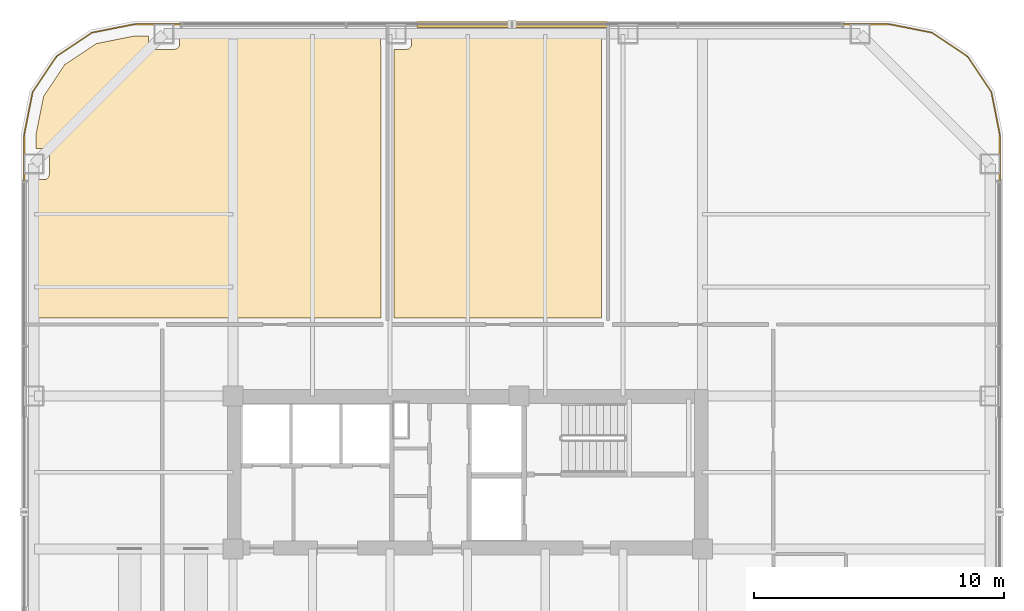
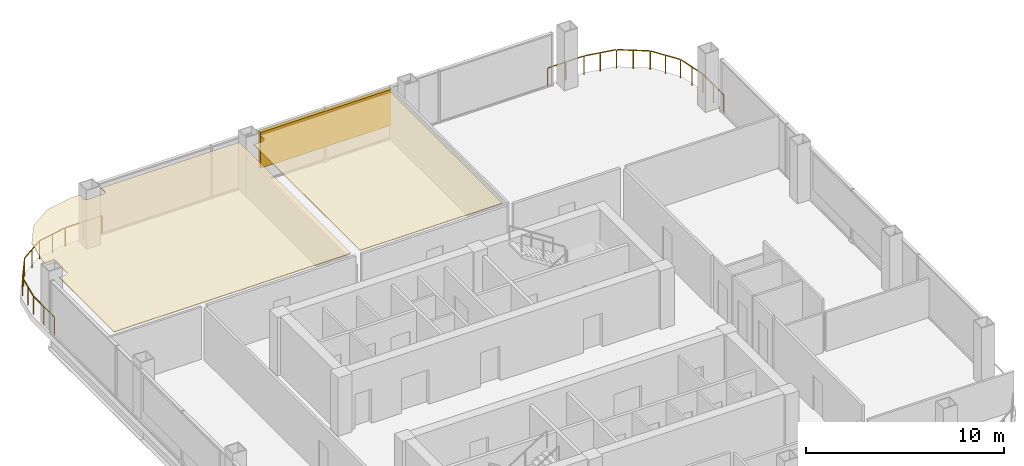
# One storey, part 20 of 20: 2 coverings, 2 railings, 1 shading device.
"""IFC4 building model written with IfcOpenShell, lengths in metres."""

from ifc_helpers import new_model, si_unit, direction, frame, origin, origin_2d, place, context, subcontext, project, spatial, polyline, rectangle, outline, extrude, material, layer, layer_set, type_object, element, save


model = new_model("IFC4")

# Units and contexts
model_context = context("Model", 3, precision=1e-05, world=origin(), true_north=direction((0.0, 1.0)))
body_context = subcontext(model_context, "Body", "Model", "MODEL_VIEW")
ifc_project = project(units=[si_unit("LENGTHUNIT", "METRE"), si_unit("AREAUNIT", "SQUARE_METRE"), si_unit("VOLUMEUNIT", "CUBIC_METRE"), si_unit("PLANEANGLEUNIT", "RADIAN"), si_unit("MASSUNIT", "GRAM", prefix="KILO")], contexts=[model_context])

# Site, building, storey
site_placement = place(None, origin())
site = spatial("IfcSite", under=ifc_project, at=site_placement, CompositionType="ELEMENT")
building_placement = place(site_placement, origin())
building = spatial("IfcBuilding", under=site, at=building_placement, Name="Qhalaya Broadcast Tower", CompositionType="ELEMENT")
storey_placement = place(building_placement, frame((0.0, 0.0, 104.85009765625)))
storey = spatial("IfcBuildingStorey", under=building, at=storey_placement, Name="L30", CompositionType="ELEMENT", Elevation=104.85009765625)

# Coverings
ifc_material_1 = material(Name="Acoustic Mineral-Fibre Ceiling")
ifc_layer = layer(ifc_material_1, 0.0400390625, Name="Acoustic Mineral-Fibre Ceiling")
ifc_layer_set = layer_set([ifc_layer], Name="Acoustic Mineral-Fibre Ceiling")
covering_type = type_object("IfcCoveringType", Name="Acoustic Mineral-Fibre Suspended Ceiling CLG-01", PredefinedType="CEILING", material=ifc_layer_set)
covering_1_placement = place(storey_placement, frame((0.0, 0.0, 3.179931640625)))
element("IfcCovering", 1, at=covering_1_placement, inside=storey, type_object=covering_type, Name="L30 Acoustic Suspended Ceiling 01", PredefinedType="CEILING", context=body_context, shape_type="SweptSolid", body=[
    extrude(outline(polyline([(-17.25, 18.590087890625), (-17.25, 13.06005859375), (-3.4599609375, 13.06005859375), (-3.4599609375, 23.896484375), (-3.468017578125, 23.91357421875), (-3.474609375, 23.931884765625), (-3.4794921875, 23.950927734375), (-3.482421875, 23.970458984375), (-3.4833984375, 23.989990234375), (-3.4833984375, 24.330078125), (-11.510009765625, 24.330078125), (-11.510009765625, 23.989990234375), (-11.510986328125, 23.970458984375), (-11.513916015625, 23.950927734375), (-11.5185546875, 23.931884765625), (-11.525146484375, 23.91357421875), (-11.53369140625, 23.895751953125), (-11.543701171875, 23.87890625), (-11.555419921875, 23.863037109375), (-11.568603515625, 23.8486328125), (-11.5830078125, 23.83544921875), (-11.598876953125, 23.82373046875), (-11.61572265625, 23.813720703125), (-11.633544921875, 23.80517578125), (-11.65185546875, 23.798583984375), (-11.6708984375, 23.793701171875), (-11.6904296875, 23.791015625), (-11.7099609375, 23.7900390625), (-12.550048828125, 23.7900390625), (-12.569580078125, 23.791015625), (-12.589111328125, 23.793701171875), (-12.608154296875, 23.798583984375), (-12.62646484375, 23.80517578125), (-12.644287109375, 23.813720703125), (-12.6611328125, 23.82373046875), (-12.677001953125, 23.83544921875), (-12.69140625, 23.8486328125), (-12.70458984375, 23.863037109375), (-12.71630859375, 23.87890625), (-12.726318359375, 23.895751953125), (-12.73486328125, 23.91357421875), (-12.741455078125, 23.931884765625), (-12.74609375, 23.950927734375), (-12.7490234375, 23.970458984375), (-12.75, 23.989990234375), (-12.75, 24.330078125), (-13.27294921875, 24.330078125), (-14.82568359375, 24.02099609375), (-16.09375, 23.173828125), (-16.941162109375, 21.90576171875), (-17.25, 20.352783203125), (-17.25, 19.830078125), (-16.909912109375, 19.830078125), (-16.890380859375, 19.8291015625), (-16.87109375, 19.826171875), (-16.851806640625, 19.8212890625), (-16.83349609375, 19.814697265625), (-16.815673828125, 19.806396484375), (-16.798828125, 19.79638671875), (-16.783203125, 19.78466796875), (-16.7685546875, 19.771484375), (-16.75537109375, 19.7568359375), (-16.74365234375, 19.7412109375), (-16.733642578125, 19.724365234375), (-16.72509765625, 19.70654296875), (-16.718505859375, 19.68798828125), (-16.7138671875, 19.6689453125), (-16.7109375, 19.649658203125), (-16.7099609375, 19.6298828125), (-16.7099609375, 18.7900390625), (-16.7109375, 18.7705078125), (-16.7138671875, 18.7509765625), (-16.718505859375, 18.73193359375), (-16.72509765625, 18.71337890625), (-16.733642578125, 18.69580078125), (-16.74365234375, 18.678955078125), (-16.75537109375, 18.6630859375), (-16.7685546875, 18.648681640625), (-16.783203125, 18.635498046875), (-16.798828125, 18.623779296875), (-16.815673828125, 18.613525390625), (-16.83349609375, 18.605224609375), (-16.851806640625, 18.5986328125), (-16.87109375, 18.59375), (-16.890380859375, 18.591064453125), (-16.909912109375, 18.590087890625), (-17.25, 18.590087890625)])), origin(), (0.0, 0.0, 1.0), 0.0400390625),
])
covering_2_placement = place(storey_placement, frame((0.0, 0.0, 3.179931640625)))
element("IfcCovering", 2, at=covering_2_placement, inside=storey, type_object=covering_type, Name="L30 Acoustic Suspended Ceiling 02", PredefinedType="CEILING", context=body_context, shape_type="SweptSolid", body=[
    extrude(outline(polyline([(-2.93994140625, 23.7900390625), (-2.93994140625, 13.06005859375), (5.340087890625, 13.06005859375), (5.340087890625, 24.330078125), (-2.243408203125, 24.330078125), (-2.243408203125, 23.989990234375), (-2.244384765625, 23.970458984375), (-2.2470703125, 23.950927734375), (-2.251953125, 23.931884765625), (-2.258544921875, 23.91357421875), (-2.266845703125, 23.895751953125), (-2.277099609375, 23.87890625), (-2.288818359375, 23.863037109375), (-2.302001953125, 23.8486328125), (-2.31640625, 23.83544921875), (-2.332275390625, 23.82373046875), (-2.34912109375, 23.813720703125), (-2.36669921875, 23.80517578125), (-2.38525390625, 23.798583984375), (-2.404296875, 23.793701171875), (-2.423583984375, 23.791015625), (-2.443359375, 23.7900390625), (-2.93994140625, 23.7900390625)])), origin(), (0.0, 0.0, 1.0), 0.0400390625),
])

# Railings
ifc_material_2 = material(Name="Powder-Coated Galvanised Steel", Category="steel")
railing_type = type_object("IfcRailingType", Name="Terrace, Sky-Pool & Lookout Glass Balustrade 1150", PredefinedType="BALUSTRADE", material=ifc_material_2)
railing_1_placement = place(storey_placement, frame((-17.7099609375, 18.280029296875, 0.0)))
element("IfcRailing", 3, at=railing_1_placement, inside=storey, type_object=railing_type, Name="L30 Rounded Corner Perimeter Guard 03", PredefinedType="BALUSTRADE", context=body_context, shape_type="SweptSolid", body=[
    extrude(rectangle(XDim=0.048095703125, YDim=0.048095703125, at=origin_2d()), frame((0.0, 0.0, 1.1259765625), z_axis=(0.0, 1.0, 0.0), x_axis=(-1.0, 0.0, 0.0)), (0.0, 0.0, 1.0), 2.08935546875),
    extrude(rectangle(XDim=0.048095703125, YDim=0.048095703125, at=origin_2d()), frame((0.005615234375, 2.146484375, 1.1259765625), z_axis=(0.195024175165, 0.980798435511, 0.0), x_axis=(-0.980798435511, 0.195024175165, 0.0)), (0.0, 0.0, 1.0), 1.662353515625),
    extrude(rectangle(XDim=0.048095703125, YDim=0.048095703125, at=origin_2d()), frame((0.3515625, 3.8291015625, 1.1259765625), z_axis=(0.555524454036, 0.831500199018, 0.0), x_axis=(-0.831500199018, 0.555524454036, 0.0)), (0.0, 0.0, 1.0), 1.650634765625),
    extrude(rectangle(XDim=0.048095703125, YDim=0.048095703125, at=origin_2d()), frame((1.308349609375, 5.24169921875, 1.1259765625), z_axis=(0.831456085426, 0.555590476887, 0.0), x_axis=(-0.555590476887, 0.831456085426, 0.0)), (0.0, 0.0, 1.0), 1.650390625),
    extrude(rectangle(XDim=0.048095703125, YDim=0.048095703125, at=origin_2d()), frame((2.73291015625, 6.18017578125, 1.1259765625), z_axis=(0.980803832953, 0.194997028864, 0.0), x_axis=(-0.194997028864, 0.980803832953, 0.0)), (0.0, 0.0, 1.0), 1.66259765625),
    extrude(rectangle(XDim=0.048095703125, YDim=0.048095703125, at=origin_2d()), frame((4.420654296875, 6.510009765625, 1.1259765625), z_axis=(1.0, 0.0, 0.0), x_axis=(0.0, 1.0, 0.0)), (0.0, 0.0, 1.0), 2.08935546875),
    extrude(rectangle(XDim=0.0419921875, YDim=0.0419921875, at=origin_2d()), origin(), (0.0, 0.0, 1.0), 1.099853515625),
    extrude(rectangle(XDim=0.0419921875, YDim=0.0419921875, at=origin_2d()), frame((0.0, 1.05908203125, 0.0)), (0.0, 0.0, 1.0), 1.099853515625),
    extrude(rectangle(XDim=0.0419921875, YDim=0.0419921875, at=origin_2d()), frame((0.0, 2.1181640625, 0.0)), (0.0, 0.0, 1.0), 1.099853515625),
    extrude(rectangle(XDim=0.0419921875, YDim=0.0419921875, at=origin_2d()), frame((0.167724609375, 2.961669921875, 0.0)), (0.0, 0.0, 1.0), 1.099853515625),
    extrude(rectangle(XDim=0.0419921875, YDim=0.0419921875, at=origin_2d()), frame((0.33544921875, 3.80517578125, 0.0)), (0.0, 0.0, 1.0), 1.099853515625),
    extrude(rectangle(XDim=0.0419921875, YDim=0.0419921875, at=origin_2d()), frame((0.81005859375, 4.515380859375, 0.0)), (0.0, 0.0, 1.0), 1.099853515625),
    extrude(rectangle(XDim=0.0419921875, YDim=0.0419921875, at=origin_2d()), frame((1.284423828125, 5.2255859375, 0.0)), (0.0, 0.0, 1.0), 1.099853515625),
    extrude(rectangle(XDim=0.0419921875, YDim=0.0419921875, at=origin_2d()), frame((1.99462890625, 5.7001953125, 0.0)), (0.0, 0.0, 1.0), 1.099853515625),
    extrude(rectangle(XDim=0.0419921875, YDim=0.0419921875, at=origin_2d()), frame((2.70458984375, 6.174560546875, 0.0)), (0.0, 0.0, 1.0), 1.099853515625),
    extrude(rectangle(XDim=0.0419921875, YDim=0.0419921875, at=origin_2d()), frame((3.54833984375, 6.34228515625, 0.0)), (0.0, 0.0, 1.0), 1.099853515625),
    extrude(rectangle(XDim=0.0419921875, YDim=0.0419921875, at=origin_2d()), frame((4.391845703125, 6.510009765625, 0.0)), (0.0, 0.0, 1.0), 1.099853515625),
    extrude(rectangle(XDim=0.0419921875, YDim=0.0419921875, at=origin_2d()), frame((5.450927734375, 6.510009765625, 0.0)), (0.0, 0.0, 1.0), 1.099853515625),
    extrude(rectangle(XDim=0.0419921875, YDim=0.0419921875, at=origin_2d()), frame((6.510009765625, 6.510009765625, 0.0)), (0.0, 0.0, 1.0), 1.099853515625),
])
railing_2_placement = place(storey_placement, frame((14.739990234375, 24.7900390625, 0.0)))
element("IfcRailing", 4, at=railing_2_placement, inside=storey, type_object=railing_type, Name="L30 Rounded Corner Perimeter Guard 04", PredefinedType="BALUSTRADE", context=body_context, shape_type="SweptSolid", body=[
    extrude(rectangle(XDim=0.048095703125, YDim=0.048095703125, at=origin_2d()), frame((0.0, 0.0, 1.1259765625), z_axis=(1.0, 0.0, 0.0), x_axis=(0.0, 1.0, 0.0)), (0.0, 0.0, 1.0), 2.08935546875),
    extrude(rectangle(XDim=0.048095703125, YDim=0.048095703125, at=origin_2d()), frame((2.146484375, -0.005615234375, 1.1259765625), z_axis=(0.980803832953, -0.194997028864, 0.0), x_axis=(0.194997028864, 0.980803832953, 0.0)), (0.0, 0.0, 1.0), 1.66259765625),
    extrude(rectangle(XDim=0.048095703125, YDim=0.048095703125, at=origin_2d()), frame((3.829345703125, -0.3515625, 1.1259765625), z_axis=(0.831456085426, -0.555590476887, 0.0), x_axis=(0.555590476887, 0.831456085426, 0.0)), (0.0, 0.0, 1.0), 1.650390625),
    extrude(rectangle(XDim=0.048095703125, YDim=0.048095703125, at=origin_2d()), frame((5.24169921875, -1.308349609375, 1.1259765625), z_axis=(0.555524454036, -0.831500199018, 0.0), x_axis=(0.831500199018, 0.555524454036, 0.0)), (0.0, 0.0, 1.0), 1.650634765625),
    extrude(rectangle(XDim=0.048095703125, YDim=0.048095703125, at=origin_2d()), frame((6.18017578125, -2.733154296875, 1.1259765625), z_axis=(0.195024175165, -0.980798435511, 0.0), x_axis=(0.980798435511, 0.195024175165, 0.0)), (0.0, 0.0, 1.0), 1.662353515625),
    extrude(rectangle(XDim=0.048095703125, YDim=0.048095703125, at=origin_2d()), frame((6.510009765625, -4.420654296875, 1.1259765625), z_axis=(0.0, -1.0, 0.0), x_axis=(1.0, 0.0, 0.0)), (0.0, 0.0, 1.0), 2.08935546875),
    extrude(rectangle(XDim=0.0419921875, YDim=0.0419921875, at=origin_2d()), origin(), (0.0, 0.0, 1.0), 1.099853515625),
    extrude(rectangle(XDim=0.0419921875, YDim=0.0419921875, at=origin_2d()), frame((1.05908203125, 0.0, 0.0)), (0.0, 0.0, 1.0), 1.099853515625),
    extrude(rectangle(XDim=0.0419921875, YDim=0.0419921875, at=origin_2d()), frame((2.1181640625, 0.0, 0.0)), (0.0, 0.0, 1.0), 1.099853515625),
    extrude(rectangle(XDim=0.0419921875, YDim=0.0419921875, at=origin_2d()), frame((2.9619140625, -0.167724609375, 0.0)), (0.0, 0.0, 1.0), 1.099853515625),
    extrude(rectangle(XDim=0.0419921875, YDim=0.0419921875, at=origin_2d()), frame((3.805419921875, -0.33544921875, 0.0)), (0.0, 0.0, 1.0), 1.099853515625),
    extrude(rectangle(XDim=0.0419921875, YDim=0.0419921875, at=origin_2d()), frame((4.515625, -0.81005859375, 0.0)), (0.0, 0.0, 1.0), 1.099853515625),
    extrude(rectangle(XDim=0.0419921875, YDim=0.0419921875, at=origin_2d()), frame((5.2255859375, -1.284423828125, 0.0)), (0.0, 0.0, 1.0), 1.099853515625),
    extrude(rectangle(XDim=0.0419921875, YDim=0.0419921875, at=origin_2d()), frame((5.7001953125, -1.99462890625, 0.0)), (0.0, 0.0, 1.0), 1.099853515625),
    extrude(rectangle(XDim=0.0419921875, YDim=0.0419921875, at=origin_2d()), frame((6.174560546875, -2.704833984375, 0.0)), (0.0, 0.0, 1.0), 1.099853515625),
    extrude(rectangle(XDim=0.0419921875, YDim=0.0419921875, at=origin_2d()), frame((6.34228515625, -3.54833984375, 0.0)), (0.0, 0.0, 1.0), 1.099853515625),
    extrude(rectangle(XDim=0.0419921875, YDim=0.0419921875, at=origin_2d()), frame((6.510009765625, -4.391845703125, 0.0)), (0.0, 0.0, 1.0), 1.099853515625),
    extrude(rectangle(XDim=0.0419921875, YDim=0.0419921875, at=origin_2d()), frame((6.510009765625, -5.450927734375, 0.0)), (0.0, 0.0, 1.0), 1.099853515625),
    extrude(rectangle(XDim=0.0419921875, YDim=0.0419921875, at=origin_2d()), frame((6.510009765625, -6.510009765625, 0.0)), (0.0, 0.0, 1.0), 1.099853515625),
])

# Shading device
ifc_material_3 = material(Name="Fired Architectural Terracotta", Category="masonry")
shading_device_type = type_object("IfcShadingDeviceType", Name="Terracotta Baguette Solar Screen Assembly TBS-01", PredefinedType="USERDEFINED", material=ifc_material_3)
shading_device_placement = place(storey_placement, frame((1.77001953125, 24.7900390625, 0.9013671875), z_axis=(0.0, 0.0, 1.0), x_axis=(-1.0, 0.0, 0.0)))
element("IfcShadingDevice", 5, at=shading_device_placement, inside=storey, type_object=shading_device_type, Name="L30 Fired Terracotta Baguette Screen N", ObjectType="BAGUETTE", PredefinedType="USERDEFINED", context=body_context, shape_type="SweptSolid", body=[
    extrude(rectangle(XDim=7.60009765625, YDim=0.239990234375, at=origin_2d()), origin(), (0.0, 0.0, 1.0), 2.18994140625),
])

save(model, "model.ifc")
